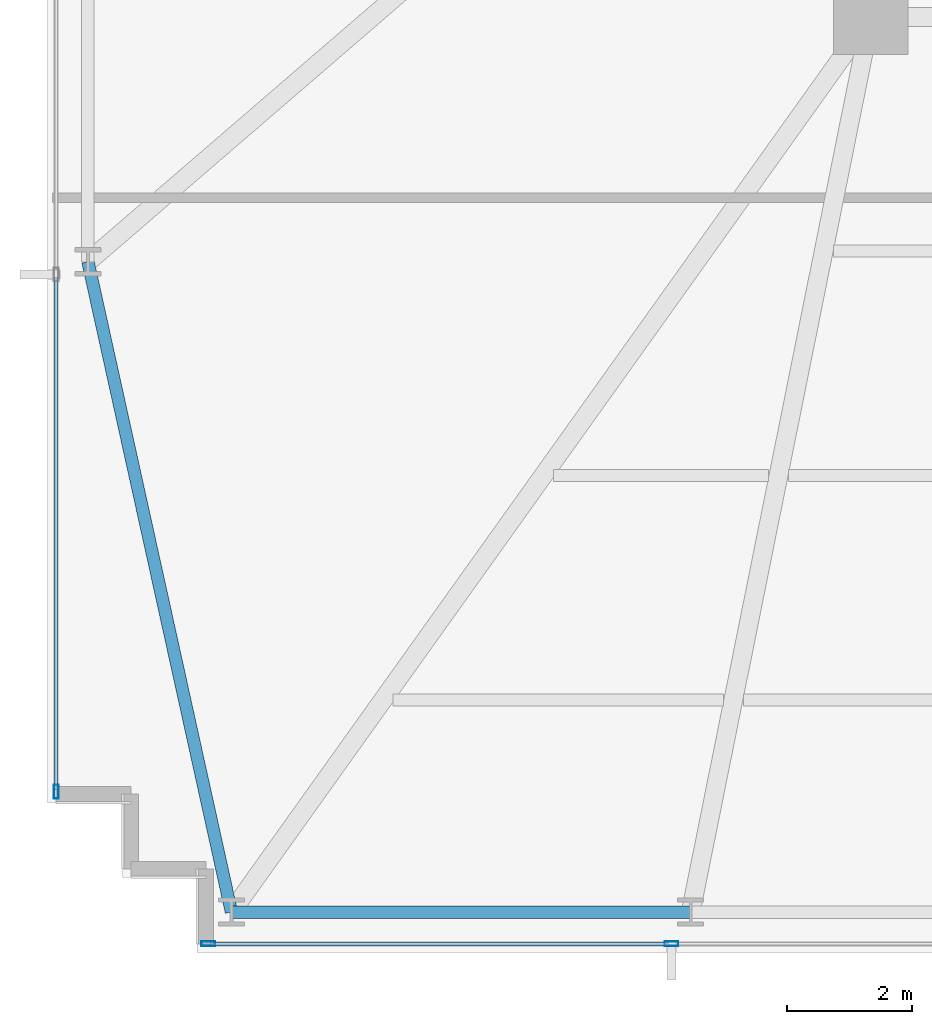
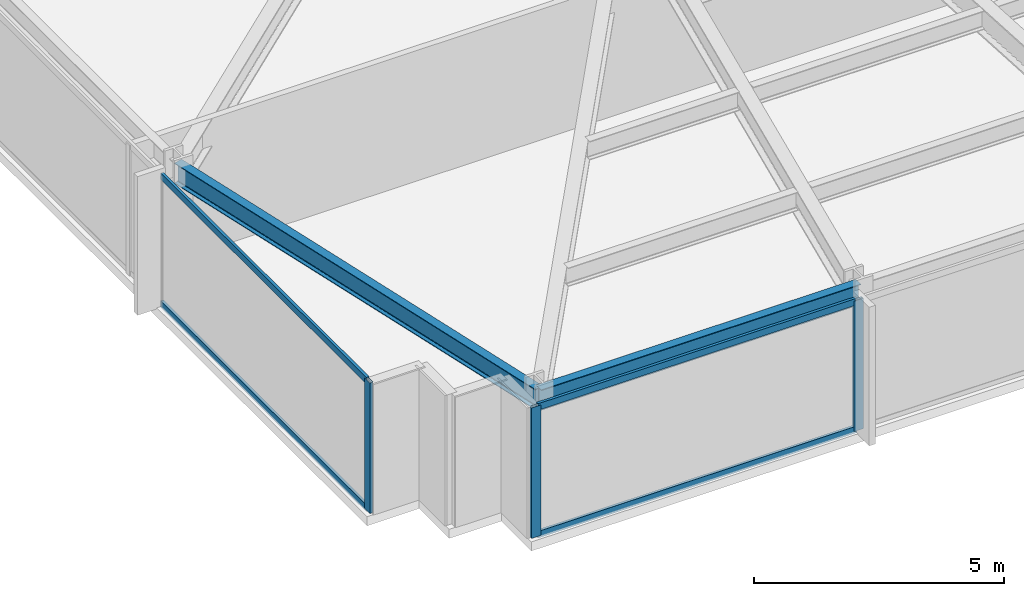
# One storey, part 2 of 32: 7 members, 2 beams, 2 elements without a shape of their own.
"""IFC4 building model written with IfcOpenShell, lengths in metres."""

from ifc_helpers import new_model, si_unit, direction, frame, origin, origin_2d, place, context, subcontext, project, spatial, hollow_rectangle, i_section, extrude, material, material_profile, profile_set, type_object, element, aggregate, save


model = new_model("IFC4")

# Units and contexts
model_context = context("Model", 3, precision=1e-05, world=origin(), true_north=direction((0.0, 1.0)))
body_context = subcontext(model_context, "Body", "Model", "MODEL_VIEW")
ifc_project = project(units=[si_unit("LENGTHUNIT", "METRE"), si_unit("AREAUNIT", "SQUARE_METRE"), si_unit("VOLUMEUNIT", "CUBIC_METRE"), si_unit("PLANEANGLEUNIT", "RADIAN"), si_unit("MASSUNIT", "GRAM", prefix="KILO")], contexts=[model_context])

# Site, building, storey
site_placement = place(None, origin())
site = spatial("IfcSite", under=ifc_project, at=site_placement, CompositionType="ELEMENT")
building_placement = place(site_placement, origin())
building = spatial("IfcBuilding", under=site, at=building_placement, Name="Yelkora Congress Tower", CompositionType="ELEMENT")
storey_placement = place(building_placement, frame((0.0, 0.0, 50.800048828125)))
storey = spatial("IfcBuildingStorey", under=building, at=storey_placement, Name="L12", CompositionType="ELEMENT", Elevation=50.800048828125)

# Beams
ifc_material_1 = material(Name="Steel S355J2", Category="steel")
ifc_material_profile_1 = material_profile(ifc_material_1, i_section(OverallWidth=0.199951171875, OverallDepth=0.5, WebThickness=0.01025390625, FlangeThickness=0.01611328125, FilletRadius=0.02099609375, at=origin_2d()), Name="IPE 500")
ifc_profile_set_1 = profile_set([ifc_material_profile_1], Name="Steel S355J2")
beam_type = type_object("IfcBeamType", Name="BM-SPAN-IPE500", PredefinedType="SPANDREL", material=ifc_profile_set_1)
beam_1_placement = place(storey_placement, frame((6.64990234375, 21.27490234375, 2.929931640625), z_axis=(0.215450706142, -0.976514717361, 0.0), x_axis=(0.976514717361, 0.215450706142, 0.0)))
element("IfcBeam", 1, at=beam_1_placement, inside=storey, type_object=beam_type, Name="L12 Perimeter Beam 1", PredefinedType="SPANDREL", context=body_context, shape_type="SweptSolid", body=[
    extrude(i_section(OverallWidth=0.199951171875, OverallDepth=0.5, WebThickness=0.01025390625, FlangeThickness=0.01611328125, FilletRadius=0.02099609375, at=origin_2d()), origin(), (0.0, 0.0, 1.0), 10.675537109375),
])
beam_2_placement = place(storey_placement, frame((8.949951171875, 10.85009765625, 2.929931640625), z_axis=(1.0, 0.0, 0.0), x_axis=(0.0, 1.0, 0.0)))
element("IfcBeam", 2, at=beam_2_placement, inside=storey, type_object=beam_type, Name="L12 Perimeter Beam 2", PredefinedType="SPANDREL", context=body_context, shape_type="SweptSolid", body=[
    extrude(i_section(OverallWidth=0.199951171875, OverallDepth=0.5, WebThickness=0.01025390625, FlangeThickness=0.01611328125, FilletRadius=0.02099609375, at=origin_2d()), origin(), (0.0, 0.0, 1.0), 7.362548828125),
])

# Curtain wall, member
ifc_material_2 = material(Name="Anodised aluminium and insulated glass", Category="aluminium")
curtain_wall_type = type_object("IfcCurtainWallType", Name="CW-SYS-B1", PredefinedType="NOTDEFINED", material=ifc_material_2)
curtain_wall_1_placement = place(storey_placement, origin())
curtain_wall_1 = element("IfcCurtainWall", 3, at=curtain_wall_1_placement, inside=storey, type_object=curtain_wall_type, Name="L12 Unitised Curtain Wall 5", PredefinedType="NOTDEFINED")
ifc_material_3 = material(Name="Anodised aluminium 6063-T6", Category="aluminium")
ifc_material_profile_2 = material_profile(ifc_material_3, hollow_rectangle(XDim=0.074951171875, YDim=0.219970703125, WallThickness=0.0048828125, at=origin_2d()), Name="ALU 75x220x5")
ifc_profile_set_2 = profile_set([ifc_material_profile_2], Name="Anodised aluminium 6063-T6")
member_type_1 = type_object("IfcMemberType", Name="MEM-ML-B1", PredefinedType="MULLION", material=ifc_profile_set_2)
member_1_placement = place(storey_placement, frame((6.139892578125, 12.777587890625, 0.0), z_axis=(0.0, 0.0, 1.0), x_axis=(-1.0, 0.0, 0.0)))
member_1 = element("IfcMember", 4, at=member_1_placement, type_object=member_type_1, Name="CW-B1 mullion 1", PredefinedType="MULLION", context=body_context, shape_type="SweptSolid", body=[
    extrude(hollow_rectangle(XDim=0.074951171875, YDim=0.219970703125, WallThickness=0.0048828125, at=origin_2d()), origin(), (0.0, 0.0, 1.0), 3.179931640625),
])

# Curtain wall, members
curtain_wall_2_placement = place(storey_placement, origin())
curtain_wall_2 = element("IfcCurtainWall", 5, at=curtain_wall_2_placement, inside=storey, type_object=curtain_wall_type, Name="L12 Unitised Curtain Wall 20", PredefinedType="NOTDEFINED")
member_2_placement = place(storey_placement, frame((16.0048828125, 10.340087890625, 0.0), z_axis=(0.0, 0.0, 1.0), x_axis=(0.0, -1.0, 0.0)))
member_2 = element("IfcMember", 6, at=member_2_placement, type_object=member_type_1, Name="CW-B1 mullion 8", PredefinedType="MULLION", context=body_context, shape_type="SweptSolid", body=[
    extrude(hollow_rectangle(XDim=0.074951171875, YDim=0.219970703125, WallThickness=0.0048828125, at=origin_2d()), origin(), (0.0, 0.0, 1.0), 3.179931640625),
])
member_3_placement = place(storey_placement, frame((8.577392578125, 10.340087890625, 0.0), z_axis=(0.0, 0.0, 1.0), x_axis=(0.0, -1.0, 0.0)))
member_3 = element("IfcMember", 7, at=member_3_placement, type_object=member_type_1, Name="CW-B1 mullion 9", PredefinedType="MULLION", context=body_context, shape_type="SweptSolid", body=[
    extrude(hollow_rectangle(XDim=0.074951171875, YDim=0.219970703125, WallThickness=0.0048828125, at=origin_2d()), origin(), (0.0, 0.0, 1.0), 3.179931640625),
])

# Member
ifc_material_profile_3 = material_profile(ifc_material_3, hollow_rectangle(XDim=0.06494140625, YDim=0.159912109375, WallThickness=0.00390625, at=origin_2d()), Name="ALU 65x160x4")
ifc_profile_set_3 = profile_set([ifc_material_profile_3], Name="Anodised aluminium 6063-T6")
member_type_2 = type_object("IfcMemberType", Name="MEM-TR-B1", PredefinedType="USERDEFINED", material=ifc_profile_set_3)
member_4_placement = place(storey_placement, frame((6.139892578125, 12.81494140625, 0.032470703125), z_axis=(0.0, 1.0, 0.0), x_axis=(-1.0, 0.0, 0.0)))
member_4 = element("IfcMember", 8, at=member_4_placement, type_object=member_type_2, Name="CW-B1 transom 1.1", ObjectType="TRANSOM", PredefinedType="USERDEFINED", context=body_context, shape_type="SweptSolid", body=[
    extrude(hollow_rectangle(XDim=0.06494140625, YDim=0.159912109375, WallThickness=0.00390625, at=origin_2d()), origin(), (0.0, 0.0, 1.0), 8.217529296875),
])

member_5_placement = place(storey_placement, frame((6.139892578125, 12.81494140625, 3.1474609375), z_axis=(0.0, 1.0, 0.0), x_axis=(-1.0, 0.0, 0.0)))
member_5 = element("IfcMember", 9, at=member_5_placement, type_object=member_type_2, Name="CW-B1 transom 1.2", ObjectType="TRANSOM", PredefinedType="USERDEFINED", context=body_context, shape_type="SweptSolid", body=[
    extrude(hollow_rectangle(XDim=0.06494140625, YDim=0.159912109375, WallThickness=0.00390625, at=origin_2d()), origin(), (0.0, 0.0, 1.0), 8.217529296875),
])

aggregate(curtain_wall_1, [member_1, member_4, member_5])

member_6_placement = place(storey_placement, frame((15.967529296875, 10.340087890625, 0.032470703125), z_axis=(-1.0, 0.0, 0.0), x_axis=(0.0, -1.0, 0.0)))
member_6 = element("IfcMember", 10, at=member_6_placement, type_object=member_type_2, Name="CW-B1 transom 8.1", ObjectType="TRANSOM", PredefinedType="USERDEFINED", context=body_context, shape_type="SweptSolid", body=[
    extrude(hollow_rectangle(XDim=0.06494140625, YDim=0.159912109375, WallThickness=0.00390625, at=origin_2d()), origin(), (0.0, 0.0, 1.0), 7.3525390625),
])

member_7_placement = place(storey_placement, frame((15.967529296875, 10.340087890625, 3.1474609375), z_axis=(-1.0, 0.0, 0.0), x_axis=(0.0, -1.0, 0.0)))
member_7 = element("IfcMember", 11, at=member_7_placement, type_object=member_type_2, Name="CW-B1 transom 8.2", ObjectType="TRANSOM", PredefinedType="USERDEFINED", context=body_context, shape_type="SweptSolid", body=[
    extrude(hollow_rectangle(XDim=0.06494140625, YDim=0.159912109375, WallThickness=0.00390625, at=origin_2d()), origin(), (0.0, 0.0, 1.0), 7.3525390625),
])

aggregate(curtain_wall_2, [member_2, member_3, member_6, member_7])

save(model, "model.ifc")
